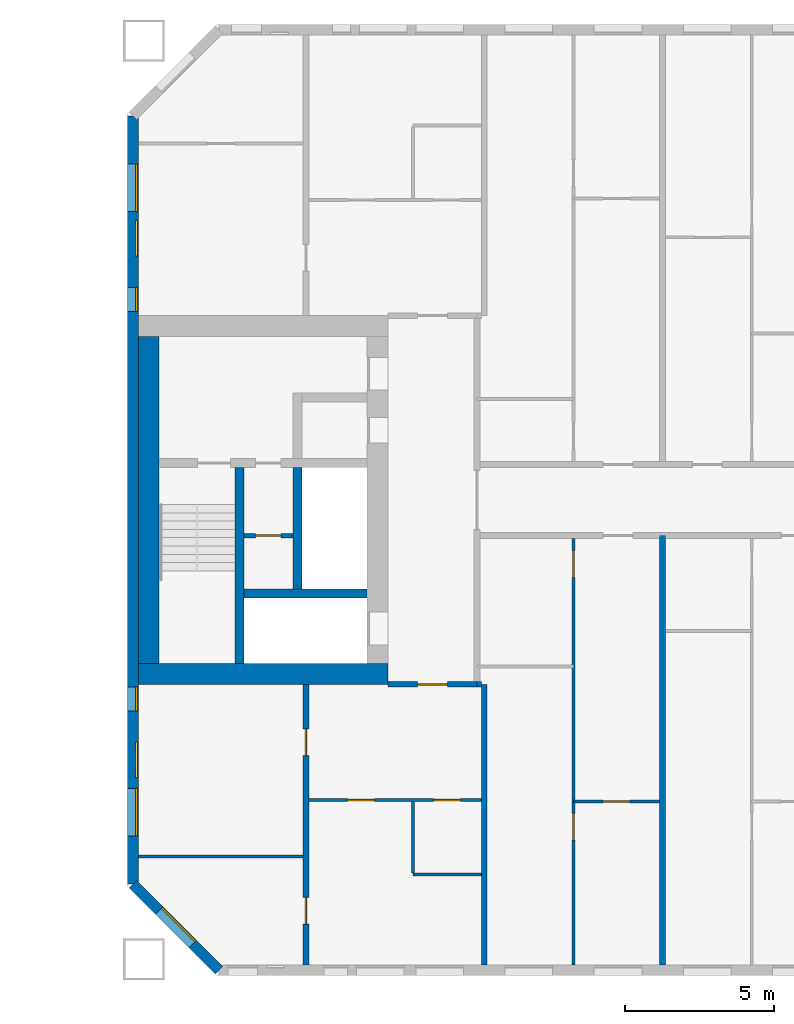
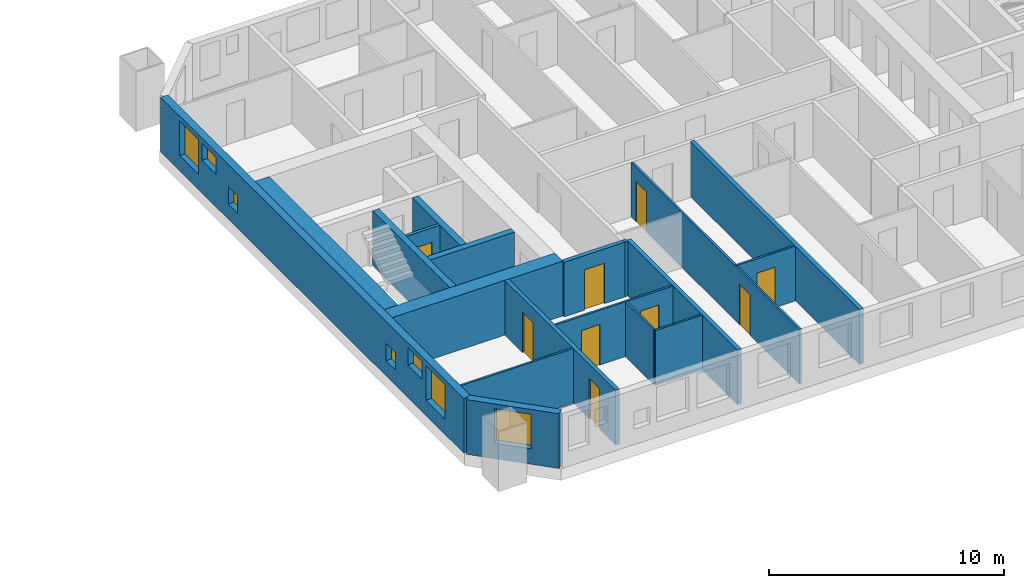
# One storey, part 9 of 17: 19 walls, 9 doors, 7 windows, 16 openings.
"""IFC4 building model written with IfcOpenShell, lengths in metres."""

from ifc_helpers import new_model, si_unit, direction, frame, frame_2d, origin, place, context, subcontext, project, spatial, rectangle, extrude, material, layer, layer_set, type_object, element, fill, save


model = new_model("IFC4")

# Units and contexts
model_context = context("Model", 3, precision=1e-05, world=origin(), true_north=direction((0.0, 1.0)))
body_context = subcontext(model_context, "Body", "Model", "MODEL_VIEW")
ifc_project = project(units=[si_unit("LENGTHUNIT", "METRE"), si_unit("AREAUNIT", "SQUARE_METRE"), si_unit("VOLUMEUNIT", "CUBIC_METRE"), si_unit("PLANEANGLEUNIT", "RADIAN"), si_unit("MASSUNIT", "GRAM", prefix="KILO")], contexts=[model_context])

# Site, building, storey
site_placement = place(None, origin())
site = spatial("IfcSite", under=ifc_project, at=site_placement, CompositionType="ELEMENT")
building_placement = place(site_placement, origin())
building = spatial("IfcBuilding", under=site, at=building_placement, Name="Tuart Gate Housing", CompositionType="ELEMENT")
storey_placement = place(building_placement, frame((0.0, 0.0, 71.60009765625)))
storey = spatial("IfcBuildingStorey", under=building, at=storey_placement, Name="L19", CompositionType="ELEMENT", Elevation=71.60009765625)

# Wall, opening, window
ifc_material_1 = material(Name="Brick", Category="masonry")
ifc_layer_1 = layer(ifc_material_1, 0.360107421875)
ifc_layer_set_1 = layer_set([ifc_layer_1], Name="Brick pier and spandrel wall 360")
wall_type_1 = type_object("IfcWallType", Name="Brick pier and spandrel wall 360", PredefinedType="STANDARD", material=ifc_layer_set_1)
wall_1_placement = place(storey_placement, frame((131.179931640625, 57.07470703125, 0.0), z_axis=(0.0, 0.0, 1.0), x_axis=(0.707106781187, -0.707106781187, 0.0)))
wall_1 = element("IfcWall", 1, at=wall_1_placement, inside=storey, type_object=wall_type_1, Name="External wall B-SW L19", PredefinedType="STANDARD", context=body_context, shape_type="SweptSolid", body=[
    extrude(rectangle(XDim=4.09375, YDim=0.360107421875, at=frame_2d((2.046875, 0.0))), origin(), (0.0, 0.0, 1.0), 2.849853515625),
])
opening_1_placement = place(wall_1_placement, frame((1.2470703125, 0.0, 0.800048828125)))
opening_1 = element("IfcOpeningElement", 2, at=opening_1_placement, cuts=wall_1, Name="Opening W1", PredefinedType="OPENING", context=body_context, shape_type="SweptSolid", body=[
    extrude(rectangle(XDim=1.60009765625, YDim=1.800048828125, at=frame_2d((0.800048828125, 0.89990234375))), frame((0.0, 0.18994140625, 0.0), z_axis=(0.0, -1.0, 0.0), x_axis=(1.0, 0.0, 0.0)), (0.0, 0.0, 1.0), 0.380126953125),
])
ifc_material_2 = material(Name="Aluminium frame with clear glass", Category="aluminium")
window_type_1 = type_object("IfcWindowType", Name="Punched window 1600 x 1800", PartitioningType="SINGLE_PANEL", PredefinedType="WINDOW", material=ifc_material_2)
window_1_placement = place(opening_1_placement, origin())
window_1 = element("IfcWindow", 3, at=window_1_placement, inside=storey, type_object=window_type_1, Name="Window W1", OverallHeight=1.800048828125, OverallWidth=1.60009765625, PartitioningType="SINGLE_PANEL", PredefinedType="WINDOW", context=body_context, shape_type="SweptSolid", body=[
    extrude(rectangle(XDim=1.60009765625, YDim=1.800048828125, at=frame_2d((0.800048828125, 0.89990234375))), frame((0.0, 0.150146484375, 0.0), z_axis=(0.0, -1.0, 0.0), x_axis=(1.0, 0.0, 0.0)), (0.0, 0.0, 1.0), 0.06005859375),
])
fill(opening_1, window_1)

# Wall, openings, windows
wall_2_placement = place(storey_placement, frame((131.179931640625, 82.92529296875, 0.0), z_axis=(0.0, 0.0, 1.0), x_axis=(0.0, -1.0, 0.0)))
wall_2 = element("IfcWall", 4, at=wall_2_placement, inside=storey, type_object=wall_type_1, Name="External wall B-W L19", PredefinedType="STANDARD", context=body_context, shape_type="SweptSolid", body=[
    extrude(rectangle(XDim=25.850830078125, YDim=0.360107421875, at=frame_2d((12.92529296875, 0.0))), origin(), (0.0, 0.0, 1.0), 2.849853515625),
])
opening_2_placement = place(wall_2_placement, frame((1.62548828125, 0.0, 0.800048828125)))
opening_2 = element("IfcOpeningElement", 5, at=opening_2_placement, cuts=wall_2, Name="Opening W1", PredefinedType="OPENING", context=body_context, shape_type="SweptSolid", body=[
    extrude(rectangle(XDim=1.60009765625, YDim=1.800048828125, at=frame_2d((0.800048828125, 0.89990234375))), frame((0.0, 0.18994140625, 0.0), z_axis=(0.0, -1.0, 0.0), x_axis=(1.0, 0.0, 0.0)), (0.0, 0.0, 1.0), 0.380126953125),
])
opening_3_placement = place(wall_2_placement, frame((3.525390625, 0.0, 1.699951171875)))
opening_3 = element("IfcOpeningElement", 6, at=opening_3_placement, cuts=wall_2, Name="Opening W1T", PredefinedType="OPENING", context=body_context, shape_type="SweptSolid", body=[
    extrude(rectangle(XDim=1.199951171875, YDim=0.89990234375, at=frame_2d((0.60009765625, 0.449951171875))), frame((0.0, 0.18994140625, 0.0), z_axis=(0.0, -1.0, 0.0), x_axis=(1.0, 0.0, 0.0)), (0.0, 0.0, 1.0), 0.380126953125),
])
opening_4_placement = place(wall_2_placement, frame((19.225341796875, 0.0, 0.800048828125)))
opening_4 = element("IfcOpeningElement", 7, at=opening_4_placement, cuts=wall_2, Name="Opening W1V", PredefinedType="OPENING", context=body_context, shape_type="SweptSolid", body=[
    extrude(rectangle(XDim=0.800048828125, YDim=0.89990234375, at=frame_2d((0.39990234375, 0.449951171875))), frame((0.0, 0.18994140625, 0.0), z_axis=(0.0, -1.0, 0.0), x_axis=(1.0, 0.0, 0.0)), (0.0, 0.0, 1.0), 0.380126953125),
])
opening_5_placement = place(wall_2_placement, frame((22.62548828125, 0.0, 0.800048828125)))
opening_5 = element("IfcOpeningElement", 8, at=opening_5_placement, cuts=wall_2, Name="Opening W1", PredefinedType="OPENING", context=body_context, shape_type="SweptSolid", body=[
    extrude(rectangle(XDim=1.60009765625, YDim=1.800048828125, at=frame_2d((0.800048828125, 0.89990234375))), frame((0.0, 0.18994140625, 0.0), z_axis=(0.0, -1.0, 0.0), x_axis=(1.0, 0.0, 0.0)), (0.0, 0.0, 1.0), 0.380126953125),
])
opening_6_placement = place(wall_2_placement, frame((5.775390625, 0.0, 0.800048828125)))
opening_6 = element("IfcOpeningElement", 9, at=opening_6_placement, cuts=wall_2, Name="Opening W1V", PredefinedType="OPENING", context=body_context, shape_type="SweptSolid", body=[
    extrude(rectangle(XDim=0.800048828125, YDim=0.89990234375, at=frame_2d((0.39990234375, 0.449951171875))), frame((0.0, 0.18994140625, 0.0), z_axis=(0.0, -1.0, 0.0), x_axis=(1.0, 0.0, 0.0)), (0.0, 0.0, 1.0), 0.380126953125),
])
opening_7_placement = place(wall_2_placement, frame((21.075439453125, 0.0, 1.699951171875)))
opening_7 = element("IfcOpeningElement", 10, at=opening_7_placement, cuts=wall_2, Name="Opening W1T", PredefinedType="OPENING", context=body_context, shape_type="SweptSolid", body=[
    extrude(rectangle(XDim=1.199951171875, YDim=0.89990234375, at=frame_2d((0.60009765625, 0.449951171875))), frame((0.0, 0.18994140625, 0.0), z_axis=(0.0, -1.0, 0.0), x_axis=(1.0, 0.0, 0.0)), (0.0, 0.0, 1.0), 0.380126953125),
])
ifc_material_3 = material(Name="Aluminium frame with clear glass", Category="aluminium")
window_type_2 = type_object("IfcWindowType", Name="Punched window 1200 x 900", PartitioningType="SINGLE_PANEL", PredefinedType="WINDOW", material=ifc_material_3)
window_2_placement = place(opening_3_placement, origin())
window_2 = element("IfcWindow", 11, at=window_2_placement, inside=storey, type_object=window_type_2, Name="Window W1T", OverallHeight=0.89990234375, OverallWidth=1.199951171875, PartitioningType="SINGLE_PANEL", PredefinedType="WINDOW", context=body_context, shape_type="SweptSolid", body=[
    extrude(rectangle(XDim=1.199951171875, YDim=0.89990234375, at=frame_2d((0.60009765625, 0.449951171875))), frame((0.0, 0.150146484375, 0.0), z_axis=(0.0, -1.0, 0.0), x_axis=(1.0, 0.0, 0.0)), (0.0, 0.0, 1.0), 0.06005859375),
])
fill(opening_3, window_2)
window_3_placement = place(opening_7_placement, origin())
window_3 = element("IfcWindow", 12, at=window_3_placement, inside=storey, type_object=window_type_2, Name="Window W1T", OverallHeight=0.89990234375, OverallWidth=1.199951171875, PartitioningType="SINGLE_PANEL", PredefinedType="WINDOW", context=body_context, shape_type="SweptSolid", body=[
    extrude(rectangle(XDim=1.199951171875, YDim=0.89990234375, at=frame_2d((0.60009765625, 0.449951171875))), frame((0.0, 0.150146484375, 0.0), z_axis=(0.0, -1.0, 0.0), x_axis=(1.0, 0.0, 0.0)), (0.0, 0.0, 1.0), 0.06005859375),
])
fill(opening_7, window_3)
window_4_placement = place(opening_2_placement, origin())
window_4 = element("IfcWindow", 13, at=window_4_placement, inside=storey, type_object=window_type_1, Name="Window W1", OverallHeight=1.800048828125, OverallWidth=1.60009765625, PartitioningType="SINGLE_PANEL", PredefinedType="WINDOW", context=body_context, shape_type="SweptSolid", body=[
    extrude(rectangle(XDim=1.60009765625, YDim=1.800048828125, at=frame_2d((0.800048828125, 0.89990234375))), frame((0.0, 0.150146484375, 0.0), z_axis=(0.0, -1.0, 0.0), x_axis=(1.0, 0.0, 0.0)), (0.0, 0.0, 1.0), 0.06005859375),
])
fill(opening_2, window_4)
window_5_placement = place(opening_5_placement, origin())
window_5 = element("IfcWindow", 14, at=window_5_placement, inside=storey, type_object=window_type_1, Name="Window W1", OverallHeight=1.800048828125, OverallWidth=1.60009765625, PartitioningType="SINGLE_PANEL", PredefinedType="WINDOW", context=body_context, shape_type="SweptSolid", body=[
    extrude(rectangle(XDim=1.60009765625, YDim=1.800048828125, at=frame_2d((0.800048828125, 0.89990234375))), frame((0.0, 0.150146484375, 0.0), z_axis=(0.0, -1.0, 0.0), x_axis=(1.0, 0.0, 0.0)), (0.0, 0.0, 1.0), 0.06005859375),
])
fill(opening_5, window_5)
ifc_material_4 = material(Name="Aluminium frame with clear glass", Category="aluminium")
window_type_3 = type_object("IfcWindowType", Name="Punched window 800 x 900", PartitioningType="SINGLE_PANEL", PredefinedType="WINDOW", material=ifc_material_4)
window_6_placement = place(opening_4_placement, origin())
window_6 = element("IfcWindow", 15, at=window_6_placement, inside=storey, type_object=window_type_3, Name="Window W1V", OverallHeight=0.89990234375, OverallWidth=0.800048828125, PartitioningType="SINGLE_PANEL", PredefinedType="WINDOW", context=body_context, shape_type="SweptSolid", body=[
    extrude(rectangle(XDim=0.800048828125, YDim=0.89990234375, at=frame_2d((0.39990234375, 0.449951171875))), frame((0.0, 0.150146484375, 0.0), z_axis=(0.0, -1.0, 0.0), x_axis=(1.0, 0.0, 0.0)), (0.0, 0.0, 1.0), 0.06005859375),
])
fill(opening_4, window_6)
window_7_placement = place(opening_6_placement, origin())
window_7 = element("IfcWindow", 16, at=window_7_placement, inside=storey, type_object=window_type_3, Name="Window W1V", OverallHeight=0.89990234375, OverallWidth=0.800048828125, PartitioningType="SINGLE_PANEL", PredefinedType="WINDOW", context=body_context, shape_type="SweptSolid", body=[
    extrude(rectangle(XDim=0.800048828125, YDim=0.89990234375, at=frame_2d((0.39990234375, 0.449951171875))), frame((0.0, 0.150146484375, 0.0), z_axis=(0.0, -1.0, 0.0), x_axis=(1.0, 0.0, 0.0)), (0.0, 0.0, 1.0), 0.06005859375),
])
fill(opening_6, window_7)

# Wall, opening, door
ifc_material_5 = material(Name="Plasterboard partition")
ifc_layer_2 = layer(ifc_material_5, 0.14990234375)
ifc_layer_set_2 = layer_set([ifc_layer_2], Name="Core partition 150")
wall_type_2 = type_object("IfcWallType", Name="Core partition 150", PredefinedType="PARTITIONING", material=ifc_layer_set_2)
wall_3_placement = place(storey_placement, frame((136.56005859375, 68.800048828125, 0.0), z_axis=(0.0, 0.0, 1.0), x_axis=(-1.0, 0.0, 0.0)))
wall_3 = element("IfcWall", 17, at=wall_3_placement, inside=storey, type_object=wall_type_2, Name="Core partition BG.2", PredefinedType="PARTITIONING", context=body_context, shape_type="SweptSolid", body=[
    extrude(rectangle(XDim=1.650146484375, YDim=0.14990234375, at=frame_2d((0.8251953125, 0.0))), origin(), (0.0, 0.0, 1.0), 2.849853515625),
])
opening_8_placement = place(wall_3_placement, frame((0.39990234375, 0.0, 0.0)))
opening_8 = element("IfcOpeningElement", 18, at=opening_8_placement, cuts=wall_3, Name="Opening D927", PredefinedType="OPENING", context=body_context, shape_type="SweptSolid", body=[
    extrude(rectangle(XDim=0.85009765625, YDim=2.10009765625, at=frame_2d((0.425048828125, 1.050048828125))), frame((0.0, 0.0849609375, 0.0), z_axis=(0.0, -1.0, 0.0), x_axis=(1.0, 0.0, 0.0)), (0.0, 0.0, 1.0), 0.169921875),
])
ifc_material_6 = material(Name="Steel fire door", Category="steel")
door_type_1 = type_object("IfcDoorType", Name="Service door 850 x 2100 RH", OperationType="SINGLE_SWING_RIGHT", PredefinedType="DOOR", material=ifc_material_6)
door_1_placement = place(opening_8_placement, frame((0.85009765625, 0.0, 0.0), z_axis=(0.0, 0.0, 1.0), x_axis=(-1.0, 0.0, 0.0)))
door_1 = element("IfcDoor", 19, at=door_1_placement, inside=storey, type_object=door_type_1, Name="Service room door BG.W2", OperationType="SINGLE_SWING_RIGHT", OverallHeight=2.10009765625, OverallWidth=0.85009765625, PredefinedType="DOOR", context=body_context, shape_type="SweptSolid", body=[
    extrude(rectangle(XDim=0.85009765625, YDim=2.10009765625, at=frame_2d((0.425048828125, 1.050048828125))), frame((0.0, 0.025146484375, 0.0), z_axis=(0.0, -1.0, 0.0), x_axis=(1.0, 0.0, 0.0)), (0.0, 0.0, 1.0), 0.050048828125),
])
fill(opening_8, door_1)

# Walls
ifc_material_7 = material(Name="Concrete C50", Category="concrete")
ifc_layer_3 = layer(ifc_material_7, 0.300048828125)
ifc_layer_set_3 = layer_set([ifc_layer_3], Name="Core wall 300 C50")
wall_type_3 = type_object("IfcWallType", Name="Core wall 300 C50", PredefinedType="SHEAR", material=ifc_layer_set_3)
wall_4_placement = place(storey_placement, frame((139.06005859375, 66.85009765625, 0.0), z_axis=(0.0, 0.0, 1.0), x_axis=(-1.0, 0.0, 0.0)))
element("IfcWall", 20, at=wall_4_placement, inside=storey, type_object=wall_type_3, Name="Core wall BG.1", PredefinedType="SHEAR", context=body_context, shape_type="SweptSolid", body=[
    extrude(rectangle(XDim=4.150146484375, YDim=0.300048828125, at=frame_2d((2.0751953125, 0.0))), origin(), (0.0, 0.0, 1.0), 2.849853515625),
])
wall_5_placement = place(storey_placement, frame((136.7099609375, 67.0, 0.0), z_axis=(0.0, 0.0, 1.0), x_axis=(0.0, 1.0, 0.0)))
element("IfcWall", 21, at=wall_5_placement, inside=storey, type_object=wall_type_3, Name="Core wall BG.5", PredefinedType="SHEAR", context=body_context, shape_type="SweptSolid", body=[
    extrude(rectangle(XDim=4.10009765625, YDim=0.300048828125, at=frame_2d((2.050048828125, 0.0))), origin(), (0.0, 0.0, 1.0), 2.849853515625),
])
wall_6_placement = place(storey_placement, frame((134.760009765625, 64.5, 0.0), z_axis=(0.0, 0.0, 1.0), x_axis=(0.0, 1.0, 0.0)))
element("IfcWall", 22, at=wall_6_placement, inside=storey, type_object=wall_type_3, Name="Core wall BG.7", PredefinedType="SHEAR", context=body_context, shape_type="SweptSolid", body=[
    extrude(rectangle(XDim=6.60009765625, YDim=0.300048828125, at=frame_2d((3.300048828125, 0.0))), origin(), (0.0, 0.0, 1.0), 2.849853515625),
])
ifc_material_8 = material(Name="Concrete C50", Category="concrete")
ifc_layer_4 = layer(ifc_material_8, 0.699951171875)
ifc_layer_set_4 = layer_set([ifc_layer_4], Name="Core wall 700 C50")
wall_type_4 = type_object("IfcWallType", Name="Core wall 700 C50", PredefinedType="SHEAR", material=ifc_layer_set_4)
wall_7_placement = place(storey_placement, frame((131.7099609375, 64.5, 0.0), z_axis=(0.0, 0.0, 1.0), x_axis=(0.0, 1.0, 0.0)))
element("IfcWall", 23, at=wall_7_placement, inside=storey, type_object=wall_type_4, Name="Core wall BG back", PredefinedType="SHEAR", context=body_context, shape_type="SweptSolid", body=[
    extrude(rectangle(XDim=11.0, YDim=0.699951171875, at=frame_2d((5.5, 0.0))), origin(), (0.0, 0.0, 1.0), 2.849853515625),
])
wall_8_placement = place(storey_placement, frame((139.760009765625, 64.14990234375, 0.0), z_axis=(0.0, 0.0, 1.0), x_axis=(-1.0, 0.0, 0.0)))
element("IfcWall", 24, at=wall_8_placement, inside=storey, type_object=wall_type_4, Name="Core wall BG south", PredefinedType="SHEAR", context=body_context, shape_type="SweptSolid", body=[
    extrude(rectangle(XDim=8.39990234375, YDim=0.699951171875, at=frame_2d((4.199951171875, 0.0))), origin(), (0.0, 0.0, 1.0), 2.849853515625),
])

# Wall, opening, door
ifc_material_9 = material(Name="Concrete masonry 15 MPa", Category="masonry")
ifc_layer_5 = layer(ifc_material_9, 0.199951171875)
ifc_layer_set_5 = layer_set([ifc_layer_5], Name="Enclosure wall masonry 200")
wall_type_5 = type_object("IfcWallType", Name="Enclosure wall masonry 200", PredefinedType="PARTITIONING", material=ifc_layer_set_5)
wall_9_placement = place(storey_placement, frame((139.760009765625, 63.800048828125, 0.0), z_axis=(0.0, 0.0, 1.0), x_axis=(1.0, 0.0, 0.0)))
wall_9 = element("IfcWall", 25, at=wall_9_placement, inside=storey, type_object=wall_type_5, Name="Enclosure wall masonry 200", PredefinedType="PARTITIONING", context=body_context, shape_type="SweptSolid", body=[
    extrude(rectangle(XDim=3.0, YDim=0.199951171875, at=frame_2d((1.5, 0.0))), origin(), (0.0, 0.0, 1.0), 2.849853515625),
])
opening_9_placement = place(wall_9_placement, frame((1.0, 0.0, 0.0)))
opening_9 = element("IfcOpeningElement", 26, at=opening_9_placement, cuts=wall_9, Name="Opening D932", PredefinedType="OPENING", context=body_context, shape_type="SweptSolid", body=[
    extrude(rectangle(XDim=1.0, YDim=2.10009765625, at=frame_2d((0.5, 1.050048828125))), frame((0.0, 0.10986328125, 0.0), z_axis=(0.0, -1.0, 0.0), x_axis=(1.0, 0.0, 0.0)), (0.0, 0.0, 1.0), 0.219970703125),
])
ifc_material_10 = material(Name="Timber door leaf in steel frame", Category="steel")
door_type_2 = type_object("IfcDoorType", Name="Flat entrance door 1000", OperationType="SINGLE_SWING_LEFT", PredefinedType="DOOR", material=ifc_material_10)
door_2_placement = place(opening_9_placement, frame((1.0, 0.0, 0.0), z_axis=(0.0, 0.0, 1.0), x_axis=(-1.0, 0.0, 0.0)))
door_2 = element("IfcDoor", 27, at=door_2_placement, inside=storey, type_object=door_type_2, Name="Flat entrance door", OperationType="SINGLE_SWING_LEFT", OverallHeight=2.10009765625, OverallWidth=1.0, PredefinedType="DOOR", context=body_context, shape_type="SweptSolid", body=[
    extrude(rectangle(XDim=1.0, YDim=2.10009765625, at=frame_2d((0.5, 1.050048828125))), frame((0.0, 0.025146484375, 0.0), z_axis=(0.0, -1.0, 0.0), x_axis=(1.0, 0.0, 0.0)), (0.0, 0.0, 1.0), 0.050048828125),
])
fill(opening_9, door_2)

# Walls
ifc_material_11 = material(Name="Gypsum board on steel studs", Category="steel")
ifc_layer_6 = layer(ifc_material_11, 0.10009765625)
ifc_layer_set_6 = layer_set([ifc_layer_6], Name="Partition 100")
wall_type_6 = type_object("IfcWallType", Name="Partition 100", PredefinedType="PARTITIONING", material=ifc_layer_set_6)
wall_10_placement = place(storey_placement, frame((140.60009765625, 57.39990234375, 0.0), z_axis=(0.0, 0.0, 1.0), x_axis=(1.0, 0.0, 0.0)))
element("IfcWall", 28, at=wall_10_placement, inside=storey, type_object=wall_type_6, Name="Partition 100", PredefinedType="PARTITIONING", context=body_context, shape_type="SweptSolid", body=[
    extrude(rectangle(XDim=2.2998046875, YDim=0.10009765625, at=frame_2d((1.14990234375, 0.0))), origin(), (0.0, 0.0, 1.0), 2.849853515625),
])
wall_11_placement = place(storey_placement, frame((131.360107421875, 58.0, 0.0), z_axis=(0.0, 0.0, 1.0), x_axis=(1.0, 0.0, 0.0)))
element("IfcWall", 29, at=wall_11_placement, inside=storey, type_object=wall_type_6, Name="Partition 100", PredefinedType="PARTITIONING", context=body_context, shape_type="SweptSolid", body=[
    extrude(rectangle(XDim=5.539794921875, YDim=0.10009765625, at=frame_2d((2.77001953125, 0.0))), origin(), (0.0, 0.0, 1.0), 2.849853515625),
])

# Wall, opening, door
wall_12_placement = place(storey_placement, frame((146.0, 59.860107421875, 0.0), z_axis=(0.0, 0.0, 1.0), x_axis=(1.0, 0.0, 0.0)))
wall_12 = element("IfcWall", 30, at=wall_12_placement, inside=storey, type_object=wall_type_6, Name="Partition 100", PredefinedType="PARTITIONING", context=body_context, shape_type="SweptSolid", body=[
    extrude(rectangle(XDim=2.89990234375, YDim=0.10009765625, at=frame_2d((1.449951171875, 0.0))), origin(), (0.0, 0.0, 1.0), 2.849853515625),
])
opening_10_placement = place(wall_12_placement, frame((1.0, 0.0, 0.0)))
opening_10 = element("IfcOpeningElement", 31, at=opening_10_placement, cuts=wall_12, Name="Opening D944", PredefinedType="OPENING", context=body_context, shape_type="SweptSolid", body=[
    extrude(rectangle(XDim=0.89990234375, YDim=2.10009765625, at=frame_2d((0.449951171875, 1.050048828125))), frame((0.0, 0.06005859375, 0.0), z_axis=(0.0, -1.0, 0.0), x_axis=(1.0, 0.0, 0.0)), (0.0, 0.0, 1.0), 0.1201171875),
])
ifc_material_12 = material(Name="Timber door leaf in steel frame", Category="steel")
door_type_3 = type_object("IfcDoorType", Name="Internal door 900", OperationType="SINGLE_SWING_LEFT", PredefinedType="DOOR", material=ifc_material_12)
door_3_placement = place(opening_10_placement, origin())
door_3 = element("IfcDoor", 32, at=door_3_placement, inside=storey, type_object=door_type_3, Name="Internal door", OperationType="SINGLE_SWING_LEFT", OverallHeight=2.10009765625, OverallWidth=0.89990234375, PredefinedType="DOOR", context=body_context, shape_type="SweptSolid", body=[
    extrude(rectangle(XDim=0.89990234375, YDim=2.10009765625, at=frame_2d((0.449951171875, 1.050048828125))), frame((0.0, 0.02490234375, 0.0), z_axis=(0.0, -1.0, 0.0), x_axis=(1.0, 0.0, 0.0)), (0.0, 0.0, 1.0), 0.050048828125),
])
fill(opening_10, door_3)

# Wall, openings, doors
wall_13_placement = place(storey_placement, frame((137.10009765625, 59.89990234375, 0.0), z_axis=(0.0, 0.0, 1.0), x_axis=(1.0, 0.0, 0.0)))
wall_13 = element("IfcWall", 33, at=wall_13_placement, inside=storey, type_object=wall_type_6, Name="Partition 100", PredefinedType="PARTITIONING", context=body_context, shape_type="SweptSolid", body=[
    extrude(rectangle(XDim=5.7998046875, YDim=0.10009765625, at=frame_2d((2.89990234375, 0.0))), origin(), (0.0, 0.0, 1.0), 2.849853515625),
])
opening_11_placement = place(wall_13_placement, frame((1.300048828125, 0.0, 0.0)))
opening_11 = element("IfcOpeningElement", 34, at=opening_11_placement, cuts=wall_13, Name="Opening D942", PredefinedType="OPENING", context=body_context, shape_type="SweptSolid", body=[
    extrude(rectangle(XDim=0.89990234375, YDim=2.10009765625, at=frame_2d((0.449951171875, 1.050048828125))), frame((0.0, 0.06005859375, 0.0), z_axis=(0.0, -1.0, 0.0), x_axis=(1.0, 0.0, 0.0)), (0.0, 0.0, 1.0), 0.1201171875),
])
opening_12_placement = place(wall_13_placement, frame((4.199951171875, 0.0, 0.0)))
opening_12 = element("IfcOpeningElement", 35, at=opening_12_placement, cuts=wall_13, Name="Opening D941", PredefinedType="OPENING", context=body_context, shape_type="SweptSolid", body=[
    extrude(rectangle(XDim=0.89990234375, YDim=2.10009765625, at=frame_2d((0.449951171875, 1.050048828125))), frame((0.0, 0.06005859375, 0.0), z_axis=(0.0, -1.0, 0.0), x_axis=(1.0, 0.0, 0.0)), (0.0, 0.0, 1.0), 0.1201171875),
])
ifc_material_13 = material(Name="Timber door leaf in steel frame", Category="steel")
door_type_4 = type_object("IfcDoorType", Name="Bathroom door 900 RH", OperationType="SINGLE_SWING_RIGHT", PredefinedType="DOOR", material=ifc_material_13)
door_4_placement = place(opening_12_placement, frame((0.89990234375, 0.0, 0.0), z_axis=(0.0, 0.0, 1.0), x_axis=(-1.0, 0.0, 0.0)))
door_4 = element("IfcDoor", 36, at=door_4_placement, inside=storey, type_object=door_type_4, Name="Bathroom door", OperationType="SINGLE_SWING_RIGHT", OverallHeight=2.10009765625, OverallWidth=0.89990234375, PredefinedType="DOOR", context=body_context, shape_type="SweptSolid", body=[
    extrude(rectangle(XDim=0.89990234375, YDim=2.10009765625, at=frame_2d((0.449951171875, 1.050048828125))), frame((0.0, 0.025146484375, 0.0), z_axis=(0.0, -1.0, 0.0), x_axis=(1.0, 0.0, 0.0)), (0.0, 0.0, 1.0), 0.050048828125),
])
fill(opening_12, door_4)
door_5_placement = place(opening_11_placement, origin())
door_5 = element("IfcDoor", 37, at=door_5_placement, inside=storey, type_object=door_type_3, Name="Internal door", OperationType="SINGLE_SWING_LEFT", OverallHeight=2.10009765625, OverallWidth=0.89990234375, PredefinedType="DOOR", context=body_context, shape_type="SweptSolid", body=[
    extrude(rectangle(XDim=0.89990234375, YDim=2.10009765625, at=frame_2d((0.449951171875, 1.050048828125))), frame((0.0, 0.02490234375, 0.0), z_axis=(0.0, -1.0, 0.0), x_axis=(1.0, 0.0, 0.0)), (0.0, 0.0, 1.0), 0.050048828125),
])
fill(opening_11, door_5)

# Wall
wall_14_placement = place(storey_placement, frame((140.60009765625, 57.449951171875, 0.0), z_axis=(0.0, 0.0, 1.0), x_axis=(0.0, 1.0, 0.0)))
element("IfcWall", 38, at=wall_14_placement, inside=storey, type_object=wall_type_6, Name="Partition 100", PredefinedType="PARTITIONING", context=body_context, shape_type="SweptSolid", body=[
    extrude(rectangle(XDim=2.400146484375, YDim=0.10009765625, at=frame_2d((1.2001953125, 0.0))), origin(), (0.0, 0.0, 1.0), 2.849853515625),
])

# Wall, openings, doors
wall_15_placement = place(storey_placement, frame((146.0, 54.360107421875, 0.0), z_axis=(0.0, 0.0, 1.0), x_axis=(0.0, 1.0, 0.0)))
wall_15 = element("IfcWall", 39, at=wall_15_placement, inside=storey, type_object=wall_type_6, Name="Partition 100", PredefinedType="PARTITIONING", context=body_context, shape_type="SweptSolid", body=[
    extrude(rectangle(XDim=14.33984375, YDim=0.10009765625, at=frame_2d((7.169921875, 0.0))), origin(), (0.0, 0.0, 1.0), 2.849853515625),
])
opening_13_placement = place(wall_15_placement, frame((4.199951171875, 0.0, 0.0)))
opening_13 = element("IfcOpeningElement", 40, at=opening_13_placement, cuts=wall_15, Name="Opening D935", PredefinedType="OPENING", context=body_context, shape_type="SweptSolid", body=[
    extrude(rectangle(XDim=0.89990234375, YDim=2.10009765625, at=frame_2d((0.449951171875, 1.050048828125))), frame((0.0, 0.06005859375, 0.0), z_axis=(0.0, -1.0, 0.0), x_axis=(1.0, 0.0, 0.0)), (0.0, 0.0, 1.0), 0.1201171875),
])
opening_14_placement = place(wall_15_placement, frame((13.0400390625, 0.0, 0.0)))
opening_14 = element("IfcOpeningElement", 41, at=opening_14_placement, cuts=wall_15, Name="Opening D934", PredefinedType="OPENING", context=body_context, shape_type="SweptSolid", body=[
    extrude(rectangle(XDim=0.89990234375, YDim=2.10009765625, at=frame_2d((0.449951171875, 1.050048828125))), frame((0.0, 0.06005859375, 0.0), z_axis=(0.0, -1.0, 0.0), x_axis=(1.0, 0.0, 0.0)), (0.0, 0.0, 1.0), 0.1201171875),
])
door_6_placement = place(opening_14_placement, origin())
door_6 = element("IfcDoor", 42, at=door_6_placement, inside=storey, type_object=door_type_4, Name="Bathroom door", OperationType="SINGLE_SWING_RIGHT", OverallHeight=2.10009765625, OverallWidth=0.89990234375, PredefinedType="DOOR", context=body_context, shape_type="SweptSolid", body=[
    extrude(rectangle(XDim=0.89990234375, YDim=2.10009765625, at=frame_2d((0.449951171875, 1.050048828125))), frame((0.0, 0.02490234375, 0.0), z_axis=(0.0, -1.0, 0.0), x_axis=(1.0, 0.0, 0.0)), (0.0, 0.0, 1.0), 0.050048828125),
])
fill(opening_14, door_6)
door_7_placement = place(opening_13_placement, origin())
door_7 = element("IfcDoor", 43, at=door_7_placement, inside=storey, type_object=door_type_3, Name="Internal door", OperationType="SINGLE_SWING_LEFT", OverallHeight=2.10009765625, OverallWidth=0.89990234375, PredefinedType="DOOR", context=body_context, shape_type="SweptSolid", body=[
    extrude(rectangle(XDim=0.89990234375, YDim=2.10009765625, at=frame_2d((0.449951171875, 1.050048828125))), frame((0.0, 0.02490234375, 0.0), z_axis=(0.0, -1.0, 0.0), x_axis=(1.0, 0.0, 0.0)), (0.0, 0.0, 1.0), 0.050048828125),
])
fill(opening_13, door_7)

ifc_material_14 = material(Name="Concrete C40", Category="concrete")
ifc_layer_7 = layer(ifc_material_14, 0.199951171875)
ifc_layer_set_7 = layer_set([ifc_layer_7], Name="Party wall concrete C40 200")
wall_type_7 = type_object("IfcWallType", Name="Party wall concrete C40 200", PredefinedType="SOLIDWALL", material=ifc_layer_set_7)
wall_16_placement = place(storey_placement, frame((137.0, 54.360107421875, 0.0), z_axis=(0.0, 0.0, 1.0), x_axis=(0.0, 1.0, 0.0)))
wall_16 = element("IfcWall", 44, at=wall_16_placement, inside=storey, type_object=wall_type_7, Name="Party wall concrete C40 200", PredefinedType="SOLIDWALL", context=body_context, shape_type="SweptSolid", body=[
    extrude(rectangle(XDim=9.43994140625, YDim=0.199951171875, at=frame_2d((4.719970703125, 0.0))), origin(), (0.0, 0.0, 1.0), 2.849853515625),
])
opening_15_placement = place(wall_16_placement, frame((1.3701171875, 0.0, 0.0)))
opening_15 = element("IfcOpeningElement", 45, at=opening_15_placement, cuts=wall_16, Name="Opening D948", PredefinedType="OPENING", context=body_context, shape_type="SweptSolid", body=[
    extrude(rectangle(XDim=0.89990234375, YDim=2.10009765625, at=frame_2d((0.449951171875, 1.050048828125))), frame((0.0, 0.10986328125, 0.0), z_axis=(0.0, -1.0, 0.0), x_axis=(1.0, 0.0, 0.0)), (0.0, 0.0, 1.0), 0.219970703125),
])
opening_16_placement = place(wall_16_placement, frame((7.0400390625, 0.0, 0.0)))
opening_16 = element("IfcOpeningElement", 46, at=opening_16_placement, cuts=wall_16, Name="Opening D949", PredefinedType="OPENING", context=body_context, shape_type="SweptSolid", body=[
    extrude(rectangle(XDim=0.89990234375, YDim=2.10009765625, at=frame_2d((0.449951171875, 1.050048828125))), frame((0.0, 0.10986328125, 0.0), z_axis=(0.0, -1.0, 0.0), x_axis=(1.0, 0.0, 0.0)), (0.0, 0.0, 1.0), 0.219970703125),
])
door_8_placement = place(opening_15_placement, origin())
door_8 = element("IfcDoor", 47, at=door_8_placement, inside=storey, type_object=door_type_3, Name="Internal door", OperationType="SINGLE_SWING_LEFT", OverallHeight=2.10009765625, OverallWidth=0.89990234375, PredefinedType="DOOR", context=body_context, shape_type="SweptSolid", body=[
    extrude(rectangle(XDim=0.89990234375, YDim=2.10009765625, at=frame_2d((0.449951171875, 1.050048828125))), frame((0.0, 0.02490234375, 0.0), z_axis=(0.0, -1.0, 0.0), x_axis=(1.0, 0.0, 0.0)), (0.0, 0.0, 1.0), 0.050048828125),
])
fill(opening_15, door_8)
ifc_material_15 = material(Name="Timber door leaf in steel frame", Category="steel")
door_type_5 = type_object("IfcDoorType", Name="Internal door 900 RH", OperationType="SINGLE_SWING_RIGHT", PredefinedType="DOOR", material=ifc_material_15)
door_9_placement = place(opening_16_placement, origin())
door_9 = element("IfcDoor", 48, at=door_9_placement, inside=storey, type_object=door_type_5, Name="Internal door", OperationType="SINGLE_SWING_RIGHT", OverallHeight=2.10009765625, OverallWidth=0.89990234375, PredefinedType="DOOR", context=body_context, shape_type="SweptSolid", body=[
    extrude(rectangle(XDim=0.89990234375, YDim=2.10009765625, at=frame_2d((0.449951171875, 1.050048828125))), frame((0.0, 0.02490234375, 0.0), z_axis=(0.0, -1.0, 0.0), x_axis=(1.0, 0.0, 0.0)), (0.0, 0.0, 1.0), 0.050048828125),
])
fill(opening_16, door_9)

# Walls
wall_17_placement = place(storey_placement, frame((143.0, 54.360107421875, 0.0), z_axis=(0.0, 0.0, 1.0), x_axis=(0.0, 1.0, 0.0)))
element("IfcWall", 49, at=wall_17_placement, inside=storey, type_object=wall_type_7, Name="Party wall concrete C40 200", PredefinedType="SOLIDWALL", context=body_context, shape_type="SweptSolid", body=[
    extrude(rectangle(XDim=9.43994140625, YDim=0.199951171875, at=frame_2d((4.719970703125, 0.0))), origin(), (0.0, 0.0, 1.0), 2.849853515625),
])
wall_18_placement = place(storey_placement, frame((149.0, 54.360107421875, 0.0), z_axis=(0.0, 0.0, 1.0), x_axis=(0.0, 1.0, 0.0)))
element("IfcWall", 50, at=wall_18_placement, inside=storey, type_object=wall_type_7, Name="Party wall concrete C40 200", PredefinedType="SOLIDWALL", context=body_context, shape_type="SweptSolid", body=[
    extrude(rectangle(XDim=14.43994140625, YDim=0.199951171875, at=frame_2d((7.219970703125, 0.0))), origin(), (0.0, 0.0, 1.0), 2.849853515625),
])
ifc_material_16 = material(Name="Concrete masonry 15 MPa", Category="masonry")
ifc_layer_8 = layer(ifc_material_16, 0.199951171875)
ifc_layer_set_8 = layer_set([ifc_layer_8], Name="Party wall masonry 200")
wall_type_8 = type_object("IfcWallType", Name="Party wall masonry 200", PredefinedType="PARTITIONING", material=ifc_layer_set_8)
wall_19_placement = place(storey_placement, frame((142.760009765625, 63.800048828125, 0.0), z_axis=(0.0, 0.0, 1.0), x_axis=(1.0, 0.0, 0.0)))
element("IfcWall", 51, at=wall_19_placement, inside=storey, type_object=wall_type_8, Name="Party wall masonry 200", PredefinedType="PARTITIONING", context=body_context, shape_type="SweptSolid", body=[
    extrude(rectangle(XDim=0.139892578125, YDim=0.199951171875, at=frame_2d((0.06982421875, 0.0))), origin(), (0.0, 0.0, 1.0), 2.849853515625),
])

save(model, "model.ifc")
